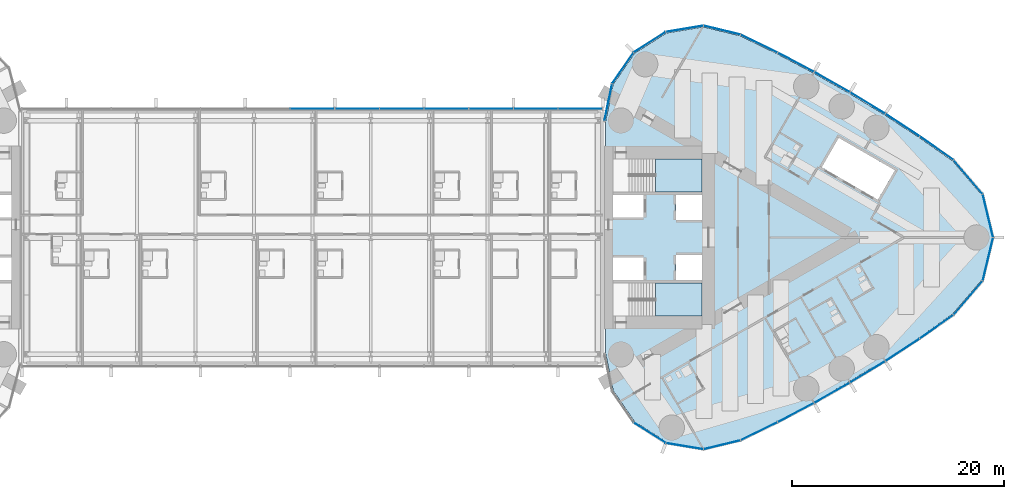
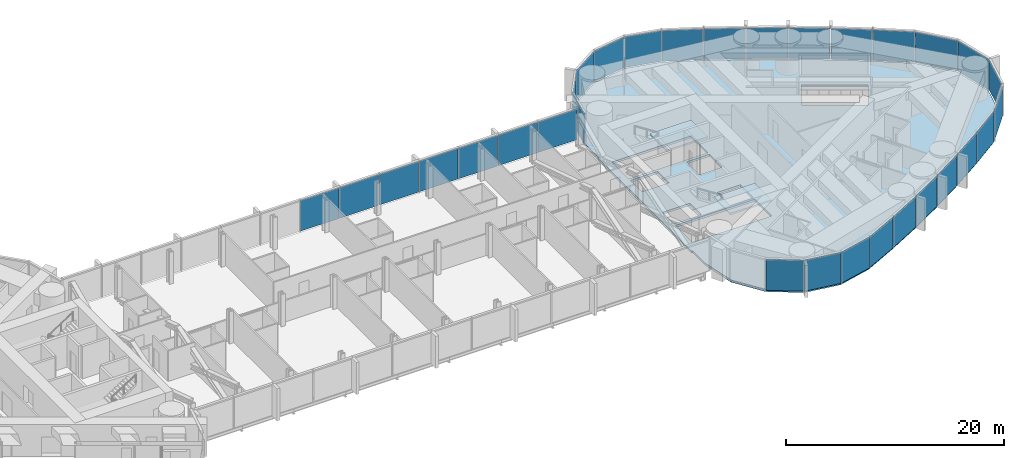
# One storey, part 14 of 24: 31 plates, 3 slabs, 4 elements without a shape of their own.
"""IFC4 building model written with IfcOpenShell, lengths in metres."""

from ifc_helpers import new_model, si_unit, direction, frame, origin, origin_2d, place, context, subcontext, project, spatial, polyline, rectangle, outline, extrude, material, layer, layer_set, type_object, element, aggregate, save


model = new_model("IFC4")

# Units and contexts
model_context = context("Model", 3, precision=1e-05, world=origin(), true_north=direction((0.0, 1.0)))
body_context = subcontext(model_context, "Body", "Model", "MODEL_VIEW")
ifc_project = project(units=[si_unit("LENGTHUNIT", "METRE"), si_unit("AREAUNIT", "SQUARE_METRE"), si_unit("VOLUMEUNIT", "CUBIC_METRE"), si_unit("PLANEANGLEUNIT", "RADIAN"), si_unit("MASSUNIT", "GRAM", prefix="KILO")], contexts=[model_context])

# Site, building, storey
site_placement = place(None, origin())
site = spatial("IfcSite", under=ifc_project, at=site_placement, CompositionType="ELEMENT")
building_placement = place(site_placement, origin())
building = spatial("IfcBuilding", under=site, at=building_placement, Name="Lancet Gate Hotel", CompositionType="ELEMENT")
storey_placement = place(building_placement, frame((0.0, 0.0, 236.89990234375)))
storey = spatial("IfcBuildingStorey", under=building, at=storey_placement, Name="L63", CompositionType="ELEMENT", Elevation=236.89990234375)

# Curtain wall, plates
ifc_material_1 = material(Name="Aluminium curtain wall", Category="aluminium")
curtain_wall_type_1 = type_object("IfcCurtainWallType", Name="Bridge block curtain wall", PredefinedType="USERDEFINED", material=ifc_material_1)
curtain_wall_1_placement = place(storey_placement, origin())
curtain_wall_1 = element("IfcCurtainWall", 1, at=curtain_wall_1_placement, inside=storey, type_object=curtain_wall_type_1, Name="Bridge block L63 curtain wall N", ObjectType="UNITISED CURTAIN WALL", PredefinedType="USERDEFINED")
ifc_material_2 = material(Name="Glass double glazed unit 8-16-6", Category="glass")
ifc_layer_1 = layer(ifc_material_2, 0.030029296875)
ifc_layer_set_1 = layer_set([ifc_layer_1], Name="Block vision panel")
plate_type_1 = type_object("IfcPlateType", Name="Block vision panel", PredefinedType="CURTAIN_PANEL", material=ifc_layer_set_1)
plate_1_placement = place(storey_placement, frame((25.24609375, 12.1201171875, 0.0), z_axis=(0.0, 0.0, 1.0), x_axis=(-1.0, 0.0, 0.0)))
plate_1 = element("IfcPlate", 2, at=plate_1_placement, type_object=plate_type_1, Name="Bridge block L63 curtain wall N panel 1", PredefinedType="CURTAIN_PANEL", context=body_context, shape_type="SweptSolid", body=[
    extrude(rectangle(XDim=4.142578125, YDim=0.030029296875, at=origin_2d()), origin(), (0.0, 0.0, 1.0), 3.449951171875),
])
plate_2_placement = place(storey_placement, frame((21.03857421875, 12.1201171875, 0.0), z_axis=(0.0, 0.0, 1.0), x_axis=(-1.0, 0.0, 0.0)))
plate_2 = element("IfcPlate", 3, at=plate_2_placement, type_object=plate_type_1, Name="Bridge block L63 curtain wall N panel 2", PredefinedType="CURTAIN_PANEL", context=body_context, shape_type="SweptSolid", body=[
    extrude(rectangle(XDim=4.142578125, YDim=0.030029296875, at=origin_2d()), origin(), (0.0, 0.0, 1.0), 3.449951171875),
])
plate_3_placement = place(storey_placement, frame((16.830810546875, 12.1201171875, 0.0), z_axis=(0.0, 0.0, 1.0), x_axis=(-1.0, 0.0, 0.0)))
plate_3 = element("IfcPlate", 4, at=plate_3_placement, type_object=plate_type_1, Name="Bridge block L63 curtain wall N panel 3", PredefinedType="CURTAIN_PANEL", context=body_context, shape_type="SweptSolid", body=[
    extrude(rectangle(XDim=4.142578125, YDim=0.030029296875, at=origin_2d()), origin(), (0.0, 0.0, 1.0), 3.449951171875),
])
plate_4_placement = place(storey_placement, frame((12.623046875, 12.1201171875, 0.0), z_axis=(0.0, 0.0, 1.0), x_axis=(-1.0, 0.0, 0.0)))
plate_4 = element("IfcPlate", 5, at=plate_4_placement, type_object=plate_type_1, Name="Bridge block L63 curtain wall N panel 4", PredefinedType="CURTAIN_PANEL", context=body_context, shape_type="SweptSolid", body=[
    extrude(rectangle(XDim=4.142578125, YDim=0.030029296875, at=origin_2d()), origin(), (0.0, 0.0, 1.0), 3.449951171875),
])
plate_5_placement = place(storey_placement, frame((8.415283203125, 12.1201171875, 0.0), z_axis=(0.0, 0.0, 1.0), x_axis=(-1.0, 0.0, 0.0)))
plate_5 = element("IfcPlate", 6, at=plate_5_placement, type_object=plate_type_1, Name="Bridge block L63 curtain wall N panel 5", PredefinedType="CURTAIN_PANEL", context=body_context, shape_type="SweptSolid", body=[
    extrude(rectangle(XDim=4.142578125, YDim=0.030029296875, at=origin_2d()), origin(), (0.0, 0.0, 1.0), 3.449951171875),
])
plate_6_placement = place(storey_placement, frame((4.207763671875, 12.1201171875, 0.0), z_axis=(0.0, 0.0, 1.0), x_axis=(-1.0, 0.0, 0.0)))
plate_6 = element("IfcPlate", 7, at=plate_6_placement, type_object=plate_type_1, Name="Bridge block L63 curtain wall N panel 6", PredefinedType="CURTAIN_PANEL", context=body_context, shape_type="SweptSolid", body=[
    extrude(rectangle(XDim=4.142578125, YDim=0.030029296875, at=origin_2d()), origin(), (0.0, 0.0, 1.0), 3.449951171875),
])
plate_7_placement = place(storey_placement, frame((0.0, 12.1201171875, 0.0), z_axis=(0.0, 0.0, 1.0), x_axis=(-1.0, 0.0, 0.0)))
plate_7 = element("IfcPlate", 8, at=plate_7_placement, type_object=plate_type_1, Name="Bridge block L63 curtain wall N panel 7", PredefinedType="CURTAIN_PANEL", context=body_context, shape_type="SweptSolid", body=[
    extrude(rectangle(XDim=4.142578125, YDim=0.030029296875, at=origin_2d()), origin(), (0.0, 0.0, 1.0), 3.449951171875),
])
aggregate(curtain_wall_1, [plate_1, plate_2, plate_3, plate_4, plate_5, plate_6, plate_7])

# Slab
ifc_material_3 = material(Name="Concrete C50/60", Category="concrete")
ifc_layer_2 = layer(ifc_material_3, 0.25)
ifc_layer_set_2 = layer_set([ifc_layer_2], Name="Floor slab 250")
slab_type_1 = type_object("IfcSlabType", Name="Floor slab 250", PredefinedType="FLOOR", material=ifc_layer_set_2)
slab_1_placement = place(storey_placement, frame((0.0, 0.0, -0.25)))
element("IfcSlab", 9, at=slab_1_placement, inside=storey, type_object=slab_type_1, Name="T2 L63 floor slab", PredefinedType="FLOOR", context=body_context, shape_type="SweptSolid", body=[
    extrude(outline(polyline([(27.5, -8.60009765625), (27.6201171875, -8.60009765625), (27.6201171875, -10.93603515625), (28.329345703125, -14.419677734375), (30.33740234375, -17.338134765625), (33.326904296875, -19.2392578125), (36.82177734375, -19.81982421875), (40.2763671875, -18.98486328125), (43.753662109375, -17.2890625), (47.18603515625, -15.47998046875), (50.5595703125, -13.56396484375), (53.87158203125, -11.54296875), (57.118408203125, -9.4189453125), (60.2861328125, -7.20166015625), (62.99658203125, -4.03759765625), (63.968017578125, 0.0), (62.99658203125, 4.03759765625), (60.2861328125, 7.20166015625), (57.118408203125, 9.4189453125), (53.87158203125, 11.54296875), (50.5595703125, 13.56396484375), (47.18603515625, 15.47998046875), (43.753662109375, 17.2890625), (40.2763671875, 18.98486328125), (36.82177734375, 19.81982421875), (33.326904296875, 19.2392578125), (30.33740234375, 17.338134765625), (28.329345703125, 14.419677734375), (27.6201171875, 10.93603515625), (27.6201171875, 8.60009765625), (27.5, 8.60009765625), (27.5, 8.199951171875), (27.5, -8.199951171875), (27.5, -8.60009765625)]), holes=[polyline([(36.699951171875, -7.39990234375), (36.699951171875, -4.300048828125), (28.300048828125, -4.300048828125), (28.300048828125, -7.39990234375), (36.699951171875, -7.39990234375)]), polyline([(28.300048828125, -4.0), (31.199951171875, -4.0), (31.199951171875, -1.89990234375), (28.300048828125, -1.89990234375), (28.300048828125, -4.0)]), polyline([(34.25, -4.0), (36.699951171875, -4.0), (36.699951171875, -1.64990234375), (34.25, -1.64990234375), (34.25, -4.0)]), polyline([(36.699951171875, 1.64990234375), (36.699951171875, 4.0), (34.25, 4.0), (34.25, 1.64990234375), (36.699951171875, 1.64990234375)]), polyline([(28.300048828125, 1.89990234375), (31.199951171875, 1.89990234375), (31.199951171875, 4.0), (28.300048828125, 4.0), (28.300048828125, 1.89990234375)]), polyline([(28.300048828125, 4.300048828125), (36.699951171875, 4.300048828125), (36.699951171875, 7.39990234375), (28.300048828125, 7.39990234375), (28.300048828125, 4.300048828125)]), polyline([(53.242919921875, 3.555908203125), (54.843017578125, 6.326904296875), (49.56103515625, 9.376953125), (47.9609375, 6.60595703125), (53.242919921875, 3.555908203125)])]), origin(), (0.0, 0.0, 1.0), 0.25),
])

# Stair, slab
ifc_material_4 = material(Name="Exit stair 20 risers 1500")
stair_type = type_object("IfcStairType", Name="Exit stair 20 risers 1500", PredefinedType="HALF_TURN_STAIR", material=ifc_material_4)
stair_1_placement = place(storey_placement, origin())
stair_1 = element("IfcStair", 10, at=stair_1_placement, inside=storey, type_object=stair_type, Name="T2 stair 1 L63", PredefinedType="HALF_TURN_STAIR")
ifc_material_5 = material(Name="Concrete C40/50", Category="concrete")
ifc_layer_3 = layer(ifc_material_5, 0.199951171875)
ifc_layer_set_3 = layer_set([ifc_layer_3], Name="Stair landing 200")
slab_type_2 = type_object("IfcSlabType", Name="Stair landing 200", PredefinedType="LANDING", material=ifc_layer_set_3)
slab_2_placement = place(storey_placement, frame((0.0, 0.0, 1.60009765625)))
slab_2 = element("IfcSlab", 11, at=slab_2_placement, type_object=slab_type_2, Name="ST3 landing 2", PredefinedType="LANDING", context=body_context, shape_type="SweptSolid", body=[
    extrude(outline(polyline([(32.320068359375, -7.39990234375), (36.699951171875, -7.39990234375), (36.699951171875, -4.300048828125), (32.320068359375, -4.300048828125), (32.320068359375, -7.39990234375)])), origin(), (0.0, 0.0, 1.0), 0.199951171875),
])
aggregate(stair_1, [slab_2])

stair_2_placement = place(storey_placement, origin())
stair_2 = element("IfcStair", 12, at=stair_2_placement, inside=storey, type_object=stair_type, Name="T2 stair 2 L63", PredefinedType="HALF_TURN_STAIR")
slab_3_placement = place(storey_placement, frame((0.0, 0.0, 1.60009765625)))
slab_3 = element("IfcSlab", 13, at=slab_3_placement, type_object=slab_type_2, Name="ST4 landing 2", PredefinedType="LANDING", context=body_context, shape_type="SweptSolid", body=[
    extrude(outline(polyline([(32.320068359375, 4.300048828125), (36.699951171875, 4.300048828125), (36.699951171875, 7.39990234375), (32.320068359375, 7.39990234375), (32.320068359375, 4.300048828125)])), origin(), (0.0, 0.0, 1.0), 0.199951171875),
])
aggregate(stair_2, [slab_3])

# Curtain wall, plates
ifc_material_6 = material(Name="Aluminium curtain wall", Category="aluminium")
curtain_wall_type_2 = type_object("IfcCurtainWallType", Name="Tower unitised curtain wall", PredefinedType="USERDEFINED", material=ifc_material_6)
curtain_wall_2_placement = place(storey_placement, origin())
curtain_wall_2 = element("IfcCurtainWall", 14, at=curtain_wall_2_placement, inside=storey, type_object=curtain_wall_type_2, Name="T2 L63 curtain wall 1", ObjectType="UNITISED CURTAIN WALL", PredefinedType="USERDEFINED")
ifc_material_7 = material(Name="Glass double glazed unit 8-16-6", Category="glass")
ifc_layer_4 = layer(ifc_material_7, 0.030029296875)
ifc_layer_set_4 = layer_set([ifc_layer_4], Name="Vision panel double glazed")
plate_type_2 = type_object("IfcPlateType", Name="Vision panel double glazed", PredefinedType="CURTAIN_PANEL", material=ifc_layer_set_4)
plate_8_placement = place(storey_placement, frame((31.767822265625, -18.389892578125, 0.0), z_axis=(0.0, 0.0, 1.0), x_axis=(0.843845020422, -0.536586974785, 0.0)))
plate_8 = element("IfcPlate", 15, at=plate_8_placement, type_object=plate_type_2, Name="T2 L63 curtain wall 1 panel 3", PredefinedType="CURTAIN_PANEL", context=body_context, shape_type="SweptSolid", body=[
    extrude(rectangle(XDim=3.526611328125, YDim=0.030029296875, at=origin_2d()), origin(), (0.0, 0.0, 1.0), 3.449951171875),
])
plate_9_placement = place(storey_placement, frame((35.0546875, -19.64794921875, 0.0), z_axis=(0.0, 0.0, 1.0), x_axis=(0.986480101775, -0.163881081283, 0.0)))
plate_9 = element("IfcPlate", 16, at=plate_9_placement, type_object=plate_type_2, Name="T2 L63 curtain wall 1 panel 4", PredefinedType="CURTAIN_PANEL", context=body_context, shape_type="SweptSolid", body=[
    extrude(rectangle(XDim=3.526611328125, YDim=0.030029296875, at=origin_2d()), origin(), (0.0, 0.0, 1.0), 3.449951171875),
])
plate_10_placement = place(storey_placement, frame((38.57177734375, -19.520263671875, 0.0), z_axis=(0.0, 0.0, 1.0), x_axis=(0.972013837597, 0.234923603582, 0.0)))
plate_10 = element("IfcPlate", 17, at=plate_10_placement, type_object=plate_type_2, Name="T2 L63 curtain wall 1 panel 5", PredefinedType="CURTAIN_PANEL", context=body_context, shape_type="SweptSolid", body=[
    extrude(rectangle(XDim=3.526611328125, YDim=0.030029296875, at=origin_2d()), origin(), (0.0, 0.0, 1.0), 3.449951171875),
])
plate_11_placement = place(storey_placement, frame((42.062744140625, -18.247314453125, 0.0), z_axis=(0.0, 0.0, 1.0), x_axis=(0.898823462202, 0.438310830114, 0.0)))
plate_11 = element("IfcPlate", 18, at=plate_11_placement, type_object=plate_type_2, Name="T2 L63 curtain wall 1 panel 6", PredefinedType="CURTAIN_PANEL", context=body_context, shape_type="SweptSolid", body=[
    extrude(rectangle(XDim=3.818603515625, YDim=0.030029296875, at=origin_2d()), origin(), (0.0, 0.0, 1.0), 3.449951171875),
])
plate_12_placement = place(storey_placement, frame((45.52587890625, -16.49072265625, 0.0), z_axis=(0.0, 0.0, 1.0), x_axis=(0.884622760861, 0.466307378204, 0.0)))
plate_12 = element("IfcPlate", 19, at=plate_12_placement, type_object=plate_type_2, Name="T2 L63 curtain wall 1 panel 7", PredefinedType="CURTAIN_PANEL", context=body_context, shape_type="SweptSolid", body=[
    extrude(rectangle(XDim=3.818603515625, YDim=0.030029296875, at=origin_2d()), origin(), (0.0, 0.0, 1.0), 3.449951171875),
])
plate_13_placement = place(storey_placement, frame((48.93212890625, -14.626220703125, 0.0), z_axis=(0.0, 0.0, 1.0), x_axis=(0.869550293306, 0.493844395951, 0.0)))
plate_13 = element("IfcPlate", 20, at=plate_13_placement, type_object=plate_type_2, Name="T2 L63 curtain wall 1 panel 8", PredefinedType="CURTAIN_PANEL", context=body_context, shape_type="SweptSolid", body=[
    extrude(rectangle(XDim=3.818603515625, YDim=0.030029296875, at=origin_2d()), origin(), (0.0, 0.0, 1.0), 3.449951171875),
])
plate_14_placement = place(storey_placement, frame((52.278076171875, -12.65576171875, 0.0), z_axis=(0.0, 0.0, 1.0), x_axis=(0.853620912967, 0.520894746513, 0.0)))
plate_14 = element("IfcPlate", 21, at=plate_14_placement, type_object=plate_type_2, Name="T2 L63 curtain wall 1 panel 9", PredefinedType="CURTAIN_PANEL", context=body_context, shape_type="SweptSolid", body=[
    extrude(rectangle(XDim=3.818603515625, YDim=0.030029296875, at=origin_2d()), origin(), (0.0, 0.0, 1.0), 3.449951171875),
])
plate_15_placement = place(storey_placement, frame((55.560791015625, -10.581298828125, 0.0), z_axis=(0.0, 0.0, 1.0), x_axis=(0.83685031771, 0.547431772688, 0.0)))
plate_15 = element("IfcPlate", 22, at=plate_15_placement, type_object=plate_type_2, Name="T2 L63 curtain wall 1 panel 10", PredefinedType="CURTAIN_PANEL", context=body_context, shape_type="SweptSolid", body=[
    extrude(rectangle(XDim=3.818603515625, YDim=0.030029296875, at=origin_2d()), origin(), (0.0, 0.0, 1.0), 3.449951171875),
])
plate_16_placement = place(storey_placement, frame((58.776611328125, -8.40478515625, 0.0), z_axis=(0.0, 0.0, 1.0), x_axis=(0.819255034386, 0.573429323137, 0.0)))
plate_16 = element("IfcPlate", 23, at=plate_16_placement, type_object=plate_type_2, Name="T2 L63 curtain wall 1 panel 11", PredefinedType="CURTAIN_PANEL", context=body_context, shape_type="SweptSolid", body=[
    extrude(rectangle(XDim=3.818603515625, YDim=0.030029296875, at=origin_2d()), origin(), (0.0, 0.0, 1.0), 3.449951171875),
])
plate_17_placement = place(storey_placement, frame((61.737060546875, -5.692626953125, 0.0), z_axis=(0.0, 0.0, 1.0), x_axis=(0.650551562434, 0.759462088991, 0.0)))
plate_17 = element("IfcPlate", 24, at=plate_17_placement, type_object=plate_type_2, Name="T2 L63 curtain wall 1 panel 12", PredefinedType="CURTAIN_PANEL", context=body_context, shape_type="SweptSolid", body=[
    extrude(rectangle(XDim=4.1455078125, YDim=0.030029296875, at=origin_2d()), origin(), (0.0, 0.0, 1.0), 3.449951171875),
])
plate_18_placement = place(storey_placement, frame((63.598876953125, -2.046875, 0.0), z_axis=(0.0, 0.0, 1.0), x_axis=(0.233916001796, 0.972256809749, 0.0)))
plate_18 = element("IfcPlate", 25, at=plate_18_placement, type_object=plate_type_2, Name="T2 L63 curtain wall 1 panel 13", PredefinedType="CURTAIN_PANEL", context=body_context, shape_type="SweptSolid", body=[
    extrude(rectangle(XDim=4.1455078125, YDim=0.030029296875, at=origin_2d()), origin(), (0.0, 0.0, 1.0), 3.449951171875),
])
plate_19_placement = place(storey_placement, frame((63.598876953125, 2.046875, 0.0), z_axis=(0.0, 0.0, 1.0), x_axis=(-0.233916001796, 0.972256809749, 0.0)))
plate_19 = element("IfcPlate", 26, at=plate_19_placement, type_object=plate_type_2, Name="T2 L63 curtain wall 1 panel 14", PredefinedType="CURTAIN_PANEL", context=body_context, shape_type="SweptSolid", body=[
    extrude(rectangle(XDim=4.1455078125, YDim=0.030029296875, at=origin_2d()), origin(), (0.0, 0.0, 1.0), 3.449951171875),
])
plate_20_placement = place(storey_placement, frame((61.737060546875, 5.692626953125, 0.0), z_axis=(0.0, 0.0, 1.0), x_axis=(-0.650551562434, 0.759462088991, 0.0)))
plate_20 = element("IfcPlate", 27, at=plate_20_placement, type_object=plate_type_2, Name="T2 L63 curtain wall 1 panel 15", PredefinedType="CURTAIN_PANEL", context=body_context, shape_type="SweptSolid", body=[
    extrude(rectangle(XDim=4.1455078125, YDim=0.030029296875, at=origin_2d()), origin(), (0.0, 0.0, 1.0), 3.449951171875),
])
plate_21_placement = place(storey_placement, frame((58.776611328125, 8.40478515625, 0.0), z_axis=(0.0, 0.0, 1.0), x_axis=(-0.819255034386, 0.573429323137, 0.0)))
plate_21 = element("IfcPlate", 28, at=plate_21_placement, type_object=plate_type_2, Name="T2 L63 curtain wall 1 panel 16", PredefinedType="CURTAIN_PANEL", context=body_context, shape_type="SweptSolid", body=[
    extrude(rectangle(XDim=3.818603515625, YDim=0.030029296875, at=origin_2d()), origin(), (0.0, 0.0, 1.0), 3.449951171875),
])
plate_22_placement = place(storey_placement, frame((55.560791015625, 10.581298828125, 0.0), z_axis=(0.0, 0.0, 1.0), x_axis=(-0.83685031771, 0.547431772688, 0.0)))
plate_22 = element("IfcPlate", 29, at=plate_22_placement, type_object=plate_type_2, Name="T2 L63 curtain wall 1 panel 17", PredefinedType="CURTAIN_PANEL", context=body_context, shape_type="SweptSolid", body=[
    extrude(rectangle(XDim=3.818603515625, YDim=0.030029296875, at=origin_2d()), origin(), (0.0, 0.0, 1.0), 3.449951171875),
])
plate_23_placement = place(storey_placement, frame((52.278076171875, 12.65576171875, 0.0), z_axis=(0.0, 0.0, 1.0), x_axis=(-0.853620912967, 0.520894746513, 0.0)))
plate_23 = element("IfcPlate", 30, at=plate_23_placement, type_object=plate_type_2, Name="T2 L63 curtain wall 1 panel 18", PredefinedType="CURTAIN_PANEL", context=body_context, shape_type="SweptSolid", body=[
    extrude(rectangle(XDim=3.818603515625, YDim=0.030029296875, at=origin_2d()), origin(), (0.0, 0.0, 1.0), 3.449951171875),
])
plate_24_placement = place(storey_placement, frame((48.93212890625, 14.626220703125, 0.0), z_axis=(0.0, 0.0, 1.0), x_axis=(-0.869550293306, 0.493844395951, 0.0)))
plate_24 = element("IfcPlate", 31, at=plate_24_placement, type_object=plate_type_2, Name="T2 L63 curtain wall 1 panel 19", PredefinedType="CURTAIN_PANEL", context=body_context, shape_type="SweptSolid", body=[
    extrude(rectangle(XDim=3.818603515625, YDim=0.030029296875, at=origin_2d()), origin(), (0.0, 0.0, 1.0), 3.449951171875),
])
plate_25_placement = place(storey_placement, frame((45.52587890625, 16.49072265625, 0.0), z_axis=(0.0, 0.0, 1.0), x_axis=(-0.884622760861, 0.466307378204, 0.0)))
plate_25 = element("IfcPlate", 32, at=plate_25_placement, type_object=plate_type_2, Name="T2 L63 curtain wall 1 panel 20", PredefinedType="CURTAIN_PANEL", context=body_context, shape_type="SweptSolid", body=[
    extrude(rectangle(XDim=3.818603515625, YDim=0.030029296875, at=origin_2d()), origin(), (0.0, 0.0, 1.0), 3.449951171875),
])
plate_26_placement = place(storey_placement, frame((42.062744140625, 18.247314453125, 0.0), z_axis=(0.0, 0.0, 1.0), x_axis=(-0.898823462202, 0.438310830114, 0.0)))
plate_26 = element("IfcPlate", 33, at=plate_26_placement, type_object=plate_type_2, Name="T2 L63 curtain wall 1 panel 21", PredefinedType="CURTAIN_PANEL", context=body_context, shape_type="SweptSolid", body=[
    extrude(rectangle(XDim=3.818603515625, YDim=0.030029296875, at=origin_2d()), origin(), (0.0, 0.0, 1.0), 3.449951171875),
])
plate_27_placement = place(storey_placement, frame((38.57177734375, 19.520263671875, 0.0), z_axis=(0.0, 0.0, 1.0), x_axis=(-0.972013837597, 0.234923603582, 0.0)))
plate_27 = element("IfcPlate", 34, at=plate_27_placement, type_object=plate_type_2, Name="T2 L63 curtain wall 1 panel 22", PredefinedType="CURTAIN_PANEL", context=body_context, shape_type="SweptSolid", body=[
    extrude(rectangle(XDim=3.526611328125, YDim=0.030029296875, at=origin_2d()), origin(), (0.0, 0.0, 1.0), 3.449951171875),
])
plate_28_placement = place(storey_placement, frame((35.0546875, 19.64794921875, 0.0), z_axis=(0.0, 0.0, 1.0), x_axis=(-0.986480101775, -0.163881081283, 0.0)))
plate_28 = element("IfcPlate", 35, at=plate_28_placement, type_object=plate_type_2, Name="T2 L63 curtain wall 1 panel 23", PredefinedType="CURTAIN_PANEL", context=body_context, shape_type="SweptSolid", body=[
    extrude(rectangle(XDim=3.526611328125, YDim=0.030029296875, at=origin_2d()), origin(), (0.0, 0.0, 1.0), 3.449951171875),
])
plate_29_placement = place(storey_placement, frame((31.767822265625, 18.389892578125, 0.0), z_axis=(0.0, 0.0, 1.0), x_axis=(-0.843845020422, -0.536586974785, 0.0)))
plate_29 = element("IfcPlate", 36, at=plate_29_placement, type_object=plate_type_2, Name="T2 L63 curtain wall 1 panel 24", PredefinedType="CURTAIN_PANEL", context=body_context, shape_type="SweptSolid", body=[
    extrude(rectangle(XDim=3.526611328125, YDim=0.030029296875, at=origin_2d()), origin(), (0.0, 0.0, 1.0), 3.449951171875),
])
plate_30_placement = place(storey_placement, frame((29.234619140625, 15.947021484375, 0.0), z_axis=(0.0, 0.0, 1.0), x_axis=(-0.566823864908, -0.823839005007, 0.0)))
plate_30 = element("IfcPlate", 37, at=plate_30_placement, type_object=plate_type_2, Name="T2 L63 curtain wall 1 panel 25", PredefinedType="CURTAIN_PANEL", context=body_context, shape_type="SweptSolid", body=[
    extrude(rectangle(XDim=3.526611328125, YDim=0.030029296875, at=origin_2d()), origin(), (0.0, 0.0, 1.0), 3.449951171875),
])
plate_31_placement = place(storey_placement, frame((27.8583984375, 12.707763671875, 0.0), z_axis=(0.0, 0.0, 1.0), x_axis=(-0.199533486841, -0.979891008036, 0.0)))
plate_31 = element("IfcPlate", 38, at=plate_31_placement, type_object=plate_type_2, Name="T2 L63 curtain wall 1 panel 26", PredefinedType="CURTAIN_PANEL", context=body_context, shape_type="SweptSolid", body=[
    extrude(rectangle(XDim=3.526611328125, YDim=0.030029296875, at=origin_2d()), origin(), (0.0, 0.0, 1.0), 3.449951171875),
])
aggregate(curtain_wall_2, [plate_8, plate_9, plate_10, plate_11, plate_12, plate_13, plate_14, plate_15, plate_16, plate_17, plate_18, plate_19, plate_20, plate_21, plate_22, plate_23, plate_24, plate_25, plate_26, plate_27, plate_28, plate_29, plate_30, plate_31])

save(model, "model.ifc")
